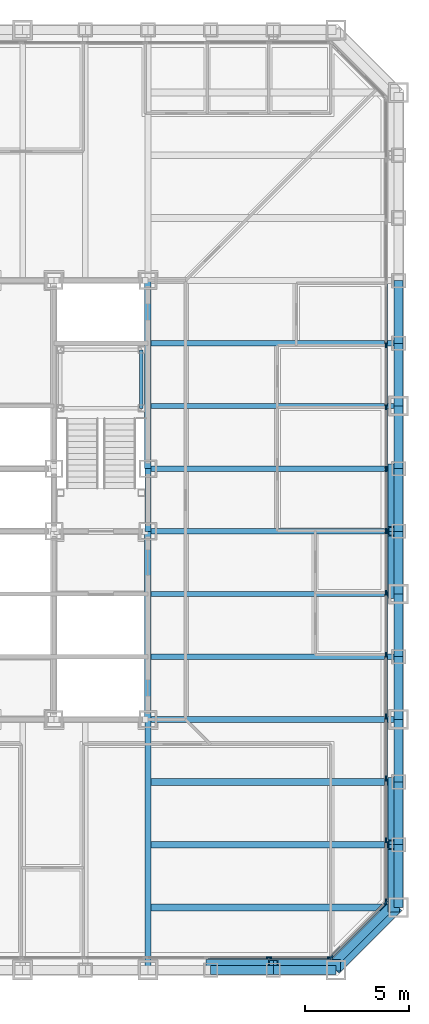
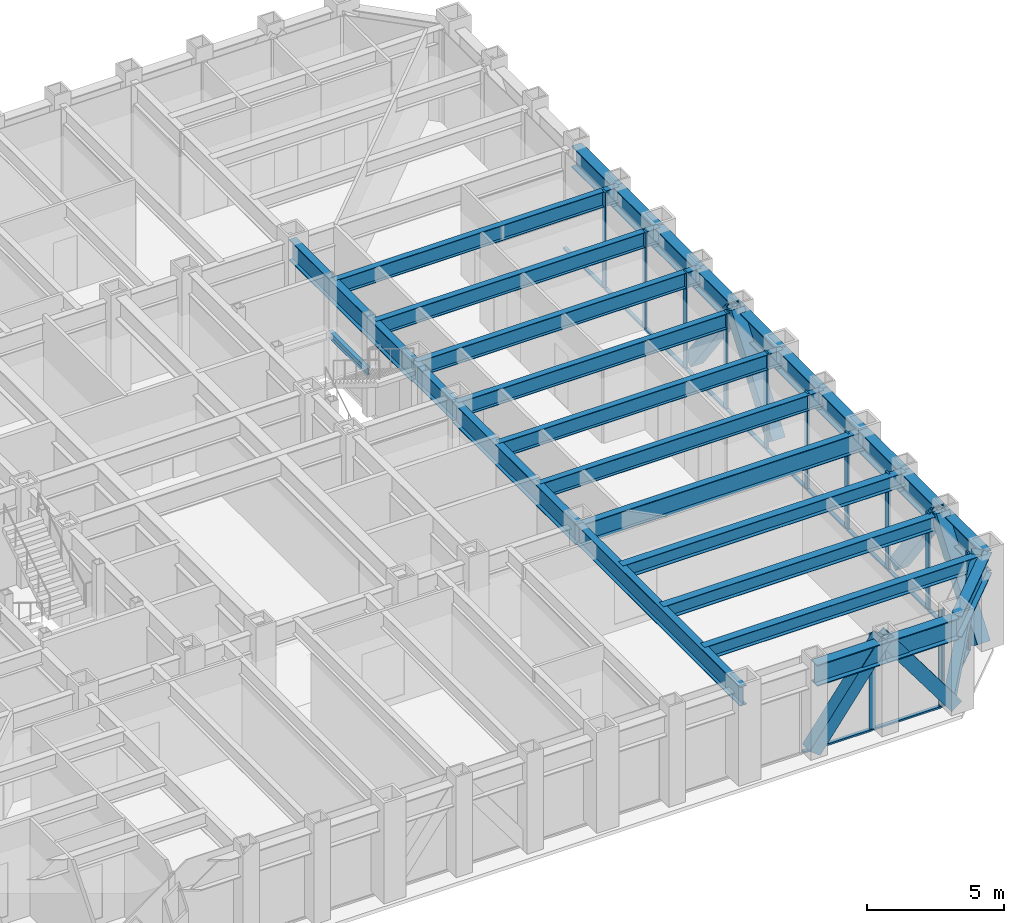
# One storey, part 4 of 17: 34 members, 28 beams, 3 elements without a shape of their own.
"""IFC4 building model written with IfcOpenShell, lengths in metres."""

from ifc_helpers import new_model, si_unit, direction, frame, origin, origin_2d, place, context, subcontext, project, spatial, rectangle, hollow_rectangle, i_section, extrude, material, layer, layer_set, material_profile, profile_set, type_object, element, aggregate, save


model = new_model("IFC4")

# Units and contexts
model_context = context("Model", 3, precision=1e-05, world=origin(), true_north=direction((0.0, 1.0)))
body_context = subcontext(model_context, "Body", "Model", "MODEL_VIEW")
ifc_project = project(units=[si_unit("LENGTHUNIT", "METRE"), si_unit("AREAUNIT", "SQUARE_METRE"), si_unit("VOLUMEUNIT", "CUBIC_METRE"), si_unit("PLANEANGLEUNIT", "RADIAN"), si_unit("MASSUNIT", "GRAM", prefix="KILO")], contexts=[model_context])

# Site, building, storey
site_placement = place(None, origin())
site = spatial("IfcSite", under=ifc_project, at=site_placement, CompositionType="ELEMENT")
building_placement = place(site_placement, origin())
building = spatial("IfcBuilding", under=site, at=building_placement, Name="Chuquiago Exchange Tower", CompositionType="ELEMENT")
storey_placement = place(building_placement, frame((0.0, 0.0, 69.300048828125)))
storey = spatial("IfcBuildingStorey", under=building, at=storey_placement, Name="L14", CompositionType="ELEMENT", Elevation=69.300048828125)

# Beams
ifc_material_1 = material(Name="Steel ASTM A992", Category="steel")
ifc_material_profile_1 = material_profile(ifc_material_1, i_section(OverallWidth=0.307373046875, OverallDepth=0.927001953125, WebThickness=0.01953125, FlangeThickness=0.031982421875, at=origin_2d()), Name="W36X194")
ifc_profile_set_1 = profile_set([ifc_material_profile_1], Name="Steel ASTM A992")
beam_type_1 = type_object("IfcBeamType", Name="B10 W36X194", PredefinedType="BEAM", material=ifc_profile_set_1)
for number, where, z_axis, x_axis, name in (
    (1, (33.0, 12.0, 3.576416015625), (0.0, 1.0, 0.0), (-1.0, 0.0, 0.0), "CB-L15-33_12-33_21"),
    (2, (33.0, 24.0, 3.576416015625), (0.0, 1.0, 0.0), (-1.0, 0.0, 0.0), "CB-L15-33_24-33_33"),
):
    element("IfcBeam", number, at=place(storey_placement, frame(where, z_axis=z_axis, x_axis=x_axis)), inside=storey, type_object=beam_type_1, Name=name, PredefinedType="BEAM", context=body_context, shape_type="SweptSolid", body=[
        extrude(i_section(OverallWidth=0.307373046875, OverallDepth=0.927001953125, WebThickness=0.01953125, FlangeThickness=0.031982421875, at=origin_2d()), origin(), (0.0, 0.0, 1.0), 9.0),
    ])
ifc_material_2 = material(Name="Steel ASTM A992", Category="steel")
ifc_material_profile_2 = material_profile(ifc_material_2, i_section(OverallWidth=0.2919921875, OverallDepth=0.8583984375, WebThickness=0.01708984375, FlangeThickness=0.031005859375, at=origin_2d()), Name="W33X169")
ifc_profile_set_2 = profile_set([ifc_material_profile_2], Name="Steel ASTM A992")
beam_type_2 = type_object("IfcBeamType", Name="B3 W33X169", PredefinedType="BEAM", material=ifc_profile_set_2)
beam_1_placement = place(storey_placement, frame((33.0, 21.0, 3.610595703125), z_axis=(0.0, 1.0, 0.0), x_axis=(-1.0, 0.0, 0.0)))
element("IfcBeam", 3, at=beam_1_placement, inside=storey, type_object=beam_type_2, Name="CB-L15-33_21-33_24", PredefinedType="BEAM", context=body_context, shape_type="SweptSolid", body=[
    extrude(i_section(OverallWidth=0.2919921875, OverallDepth=0.8583984375, WebThickness=0.01708984375, FlangeThickness=0.031005859375, at=origin_2d()), origin(), (0.0, 0.0, 1.0), 3.0),
])
ifc_material_3 = material(Name="Steel ASTM A992", Category="steel")
ifc_material_profile_3 = material_profile(ifc_material_3, i_section(OverallWidth=0.256591796875, OverallDepth=0.693359375, WebThickness=0.014404296875, FlangeThickness=0.023681640625, at=origin_2d()), Name="W27X114")
ifc_profile_set_3 = profile_set([ifc_material_profile_3], Name="Steel ASTM A992")
beam_type_3 = type_object("IfcBeamType", Name="B4 W27X114", PredefinedType="BEAM", material=ifc_profile_set_3)
for number, where, z_axis, x_axis, name in (
    (4, (33.0, 15.0, 3.693359375), (1.0, 0.0, 0.0), (0.0, 1.0, 0.0), "FB-L15-infill-33_15-45_15-0"),
    (5, (33.0, 18.0, 3.693359375), (1.0, 0.0, 0.0), (0.0, 1.0, 0.0), "FB-L15-infill-33_18-45_18-0"),
    (6, (33.0, 21.0, 3.693359375), (1.0, 0.0, 0.0), (0.0, 1.0, 0.0), "FB-L15-infill-33_21-45_21-0"),
    (7, (33.0, 24.0, 3.693359375), (1.0, 0.0, 0.0), (0.0, 1.0, 0.0), "FB-L15-infill-33_24-45_24-0"),
    (8, (33.0, 27.0, 3.693359375), (1.0, 0.0, 0.0), (0.0, 1.0, 0.0), "FB-L15-infill-33_27-45_27-0"),
    (9, (33.0, 30.0, 3.693359375), (1.0, 0.0, 0.0), (0.0, 1.0, 0.0), "FB-L15-infill-33_30-45_30-0"),
):
    element("IfcBeam", number, at=place(storey_placement, frame(where, z_axis=z_axis, x_axis=x_axis)), inside=storey, type_object=beam_type_3, Name=name, PredefinedType="BEAM", context=body_context, shape_type="SweptSolid", body=[
        extrude(i_section(OverallWidth=0.256591796875, OverallDepth=0.693359375, WebThickness=0.014404296875, FlangeThickness=0.023681640625, at=origin_2d()), origin(), (0.0, 0.0, 1.0), 12.0),
    ])
ifc_material_4 = material(Name="Steel ASTM A992", Category="steel")
ifc_material_profile_4 = material_profile(ifc_material_4, i_section(OverallWidth=0.3251953125, OverallDepth=0.6171875, WebThickness=0.013916015625, FlangeThickness=0.021484375, at=origin_2d()), Name="W24X117")
ifc_profile_set_4 = profile_set([ifc_material_profile_4], Name="Steel ASTM A992")
beam_type_4 = type_object("IfcBeamType", Name="B5 W24X117", PredefinedType="BEAM", material=ifc_profile_set_4)
for number, where, z_axis, x_axis, name in (
    (10, (33.0, 3.0, 3.7314453125), (1.0, 0.0, 0.0), (0.0, 1.0, 0.0), "FB-L15-corner-33_3-45_3-0"),
    (11, (33.0, 6.0, 3.7314453125), (1.0, 0.0, 0.0), (0.0, 1.0, 0.0), "FB-L15-corner-33_6-45_6-0"),
    (12, (33.0, 9.0, 3.7314453125), (1.0, 0.0, 0.0), (0.0, 1.0, 0.0), "FB-L15-corner-33_9-45_9-0"),
):
    element("IfcBeam", number, at=place(storey_placement, frame(where, z_axis=z_axis, x_axis=x_axis)), inside=storey, type_object=beam_type_4, Name=name, PredefinedType="BEAM", context=body_context, shape_type="SweptSolid", body=[
        extrude(i_section(OverallWidth=0.3251953125, OverallDepth=0.6171875, WebThickness=0.013916015625, FlangeThickness=0.021484375, at=origin_2d()), origin(), (0.0, 0.0, 1.0), 12.0),
    ])

# Curtain wall, members
ifc_material_5 = material(Name="Aluminium curtain wall system", Category="aluminium")
ifc_layer_1 = layer(ifc_material_5, 0.25)
ifc_layer_set_1 = layer_set([ifc_layer_1], Name="CW1 trading floor curtain wall")
curtain_wall_type_1 = type_object("IfcCurtainWallType", Name="CW1 trading floor curtain wall", PredefinedType="NOTDEFINED", material=ifc_layer_set_1)
curtain_wall_1_placement = place(storey_placement, origin())
curtain_wall_1 = element("IfcCurtainWall", 13, at=curtain_wall_1_placement, inside=storey, type_object=curtain_wall_type_1, Name="CW1 curtain wall L14", PredefinedType="NOTDEFINED")
ifc_material_6 = material(Name="Aluminium mullion, pale anodised", Category="aluminium")
ifc_material_profile_5 = material_profile(ifc_material_6, rectangle(XDim=0.074951171875, YDim=0.25, at=origin_2d()), Name="AL 75x250")
ifc_profile_set_5 = profile_set([ifc_material_profile_5], Name="Aluminium mullion, pale anodised")
member_type_1 = type_object("IfcMemberType", Name="CW1-M mullion 75x250", PredefinedType="MULLION", material=ifc_profile_set_5)
member_1_placement = place(storey_placement, frame((38.789794921875, 0.60009765625, -0.300048828125), z_axis=(0.0, 0.0, 1.0), x_axis=(0.0, 1.0, 0.0)))
member_1 = element("IfcMember", 14, at=member_1_placement, type_object=member_type_1, Name="CW1 mullion 13", PredefinedType="MULLION", context=body_context, shape_type="SweptSolid", body=[
    extrude(rectangle(XDim=0.074951171875, YDim=0.25, at=origin_2d()), origin(), (0.0, 0.0, 1.0), 4.340087890625),
])
member_2_placement = place(storey_placement, frame((41.714111328125, 0.60009765625, -0.300048828125), z_axis=(0.0, 0.0, 1.0), x_axis=(0.0, 1.0, 0.0)))
member_2 = element("IfcMember", 15, at=member_2_placement, type_object=member_type_1, Name="CW1 mullion 14", PredefinedType="MULLION", context=body_context, shape_type="SweptSolid", body=[
    extrude(rectangle(XDim=0.074951171875, YDim=0.25, at=origin_2d()), origin(), (0.0, 0.0, 1.0), 4.340087890625),
])

curtain_wall_2_placement = place(storey_placement, origin())
curtain_wall_2 = element("IfcCurtainWall", 16, at=curtain_wall_2_placement, inside=storey, type_object=curtain_wall_type_1, Name="CW1 curtain wall L14", PredefinedType="NOTDEFINED")
member_3_placement = place(storey_placement, frame((44.39990234375, 3.285888671875, -0.300048828125), z_axis=(0.0, 0.0, 1.0), x_axis=(-1.0, 0.0, 0.0)))
member_3 = element("IfcMember", 17, at=member_3_placement, type_object=member_type_1, Name="CW1 mullion 1", PredefinedType="MULLION", context=body_context, shape_type="SweptSolid", body=[
    extrude(rectangle(XDim=0.074951171875, YDim=0.25, at=origin_2d()), origin(), (0.0, 0.0, 1.0), 4.340087890625),
])
member_4_placement = place(storey_placement, frame((44.39990234375, 6.210205078125, -0.300048828125), z_axis=(0.0, 0.0, 1.0), x_axis=(-1.0, 0.0, 0.0)))
member_4 = element("IfcMember", 18, at=member_4_placement, type_object=member_type_1, Name="CW1 mullion 2", PredefinedType="MULLION", context=body_context, shape_type="SweptSolid", body=[
    extrude(rectangle(XDim=0.074951171875, YDim=0.25, at=origin_2d()), origin(), (0.0, 0.0, 1.0), 4.340087890625),
])
member_5_placement = place(storey_placement, frame((44.39990234375, 9.172119140625, -0.300048828125), z_axis=(0.0, 0.0, 1.0), x_axis=(-1.0, 0.0, 0.0)))
member_5 = element("IfcMember", 19, at=member_5_placement, type_object=member_type_1, Name="CW1 mullion 3", PredefinedType="MULLION", context=body_context, shape_type="SweptSolid", body=[
    extrude(rectangle(XDim=0.074951171875, YDim=0.25, at=origin_2d()), origin(), (0.0, 0.0, 1.0), 4.340087890625),
])
member_6_placement = place(storey_placement, frame((44.39990234375, 12.1337890625, -0.300048828125), z_axis=(0.0, 0.0, 1.0), x_axis=(-1.0, 0.0, 0.0)))
member_6 = element("IfcMember", 20, at=member_6_placement, type_object=member_type_1, Name="CW1 mullion 4", PredefinedType="MULLION", context=body_context, shape_type="SweptSolid", body=[
    extrude(rectangle(XDim=0.074951171875, YDim=0.25, at=origin_2d()), origin(), (0.0, 0.0, 1.0), 4.340087890625),
])
member_7_placement = place(storey_placement, frame((44.39990234375, 15.095458984375, -0.300048828125), z_axis=(0.0, 0.0, 1.0), x_axis=(-1.0, 0.0, 0.0)))
member_7 = element("IfcMember", 21, at=member_7_placement, type_object=member_type_1, Name="CW1 mullion 5", PredefinedType="MULLION", context=body_context, shape_type="SweptSolid", body=[
    extrude(rectangle(XDim=0.074951171875, YDim=0.25, at=origin_2d()), origin(), (0.0, 0.0, 1.0), 4.340087890625),
])
member_8_placement = place(storey_placement, frame((44.39990234375, 18.057373046875, -0.300048828125), z_axis=(0.0, 0.0, 1.0), x_axis=(-1.0, 0.0, 0.0)))
member_8 = element("IfcMember", 22, at=member_8_placement, type_object=member_type_1, Name="CW1 mullion 6", PredefinedType="MULLION", context=body_context, shape_type="SweptSolid", body=[
    extrude(rectangle(XDim=0.074951171875, YDim=0.25, at=origin_2d()), origin(), (0.0, 0.0, 1.0), 4.340087890625),
])
member_9_placement = place(storey_placement, frame((44.39990234375, 21.01904296875, -0.300048828125), z_axis=(0.0, 0.0, 1.0), x_axis=(-1.0, 0.0, 0.0)))
member_9 = element("IfcMember", 23, at=member_9_placement, type_object=member_type_1, Name="CW1 mullion 7", PredefinedType="MULLION", context=body_context, shape_type="SweptSolid", body=[
    extrude(rectangle(XDim=0.074951171875, YDim=0.25, at=origin_2d()), origin(), (0.0, 0.0, 1.0), 4.340087890625),
])
member_10_placement = place(storey_placement, frame((44.39990234375, 23.98095703125, -0.300048828125), z_axis=(0.0, 0.0, 1.0), x_axis=(-1.0, 0.0, 0.0)))
member_10 = element("IfcMember", 24, at=member_10_placement, type_object=member_type_1, Name="CW1 mullion 8", PredefinedType="MULLION", context=body_context, shape_type="SweptSolid", body=[
    extrude(rectangle(XDim=0.074951171875, YDim=0.25, at=origin_2d()), origin(), (0.0, 0.0, 1.0), 4.340087890625),
])
member_11_placement = place(storey_placement, frame((44.39990234375, 26.942626953125, -0.300048828125), z_axis=(0.0, 0.0, 1.0), x_axis=(-1.0, 0.0, 0.0)))
member_11 = element("IfcMember", 25, at=member_11_placement, type_object=member_type_1, Name="CW1 mullion 9", PredefinedType="MULLION", context=body_context, shape_type="SweptSolid", body=[
    extrude(rectangle(XDim=0.074951171875, YDim=0.25, at=origin_2d()), origin(), (0.0, 0.0, 1.0), 4.340087890625),
])
member_12_placement = place(storey_placement, frame((44.39990234375, 29.904541015625, -0.300048828125), z_axis=(0.0, 0.0, 1.0), x_axis=(-1.0, 0.0, 0.0)))
member_12 = element("IfcMember", 26, at=member_12_placement, type_object=member_type_1, Name="CW1 mullion 10", PredefinedType="MULLION", context=body_context, shape_type="SweptSolid", body=[
    extrude(rectangle(XDim=0.074951171875, YDim=0.25, at=origin_2d()), origin(), (0.0, 0.0, 1.0), 4.340087890625),
])

# Member
ifc_material_7 = material(Name="Aluminium transom, pale anodised", Category="aluminium")
ifc_material_profile_6 = material_profile(ifc_material_7, rectangle(XDim=0.14990234375, YDim=0.074951171875, at=origin_2d()), Name="AL 150x75")
ifc_profile_set_6 = profile_set([ifc_material_profile_6], Name="Aluminium transom, pale anodised")
member_type_2 = type_object("IfcMemberType", Name="CW1-T transom 75x150", PredefinedType="MULLION", material=ifc_profile_set_6)
member_13_placement = place(storey_placement, frame((35.865478515625, 0.60009765625, -0.262451171875), z_axis=(1.0, 0.0, 0.0), x_axis=(0.0, 1.0, 0.0)))
member_13 = element("IfcMember", 27, at=member_13_placement, type_object=member_type_2, Name="CW1 transom 12.1", PredefinedType="MULLION", context=body_context, shape_type="SweptSolid", body=[
    extrude(rectangle(XDim=0.14990234375, YDim=0.074951171875, at=origin_2d()), origin(), (0.0, 0.0, 1.0), 2.88671875),
])

member_14_placement = place(storey_placement, frame((38.8271484375, 0.60009765625, -0.262451171875), z_axis=(1.0, 0.0, 0.0), x_axis=(0.0, 1.0, 0.0)))
member_14 = element("IfcMember", 28, at=member_14_placement, type_object=member_type_2, Name="CW1 transom 13.1", PredefinedType="MULLION", context=body_context, shape_type="SweptSolid", body=[
    extrude(rectangle(XDim=0.14990234375, YDim=0.074951171875, at=origin_2d()), origin(), (0.0, 0.0, 1.0), 2.849365234375),
])

aggregate(curtain_wall_1, [member_1, member_2, member_13, member_14])

member_15_placement = place(storey_placement, frame((44.39990234375, 3.323486328125, -0.262451171875), z_axis=(0.0, 1.0, 0.0), x_axis=(-1.0, 0.0, 0.0)))
member_15 = element("IfcMember", 29, at=member_15_placement, type_object=member_type_2, Name="CW1 transom 1.1", PredefinedType="MULLION", context=body_context, shape_type="SweptSolid", body=[
    extrude(rectangle(XDim=0.14990234375, YDim=0.074951171875, at=origin_2d()), origin(), (0.0, 0.0, 1.0), 2.849365234375),
])

member_16_placement = place(storey_placement, frame((44.39990234375, 6.247802734375, -0.262451171875), z_axis=(0.0, 1.0, 0.0), x_axis=(-1.0, 0.0, 0.0)))
member_16 = element("IfcMember", 30, at=member_16_placement, type_object=member_type_2, Name="CW1 transom 2.1", PredefinedType="MULLION", context=body_context, shape_type="SweptSolid", body=[
    extrude(rectangle(XDim=0.14990234375, YDim=0.074951171875, at=origin_2d()), origin(), (0.0, 0.0, 1.0), 2.88671875),
])

member_17_placement = place(storey_placement, frame((44.39990234375, 9.20947265625, -0.262451171875), z_axis=(0.0, 1.0, 0.0), x_axis=(-1.0, 0.0, 0.0)))
member_17 = element("IfcMember", 31, at=member_17_placement, type_object=member_type_2, Name="CW1 transom 3.1", PredefinedType="MULLION", context=body_context, shape_type="SweptSolid", body=[
    extrude(rectangle(XDim=0.14990234375, YDim=0.074951171875, at=origin_2d()), origin(), (0.0, 0.0, 1.0), 2.88671875),
])

member_18_placement = place(storey_placement, frame((44.39990234375, 12.17138671875, -0.262451171875), z_axis=(0.0, 1.0, 0.0), x_axis=(-1.0, 0.0, 0.0)))
member_18 = element("IfcMember", 32, at=member_18_placement, type_object=member_type_2, Name="CW1 transom 4.1", PredefinedType="MULLION", context=body_context, shape_type="SweptSolid", body=[
    extrude(rectangle(XDim=0.14990234375, YDim=0.074951171875, at=origin_2d()), origin(), (0.0, 0.0, 1.0), 2.88671875),
])

member_19_placement = place(storey_placement, frame((44.39990234375, 15.133056640625, -0.262451171875), z_axis=(0.0, 1.0, 0.0), x_axis=(-1.0, 0.0, 0.0)))
member_19 = element("IfcMember", 33, at=member_19_placement, type_object=member_type_2, Name="CW1 transom 5.1", PredefinedType="MULLION", context=body_context, shape_type="SweptSolid", body=[
    extrude(rectangle(XDim=0.14990234375, YDim=0.074951171875, at=origin_2d()), origin(), (0.0, 0.0, 1.0), 2.88671875),
])

member_20_placement = place(storey_placement, frame((44.39990234375, 18.0947265625, -0.262451171875), z_axis=(0.0, 1.0, 0.0), x_axis=(-1.0, 0.0, 0.0)))
member_20 = element("IfcMember", 34, at=member_20_placement, type_object=member_type_2, Name="CW1 transom 6.1", PredefinedType="MULLION", context=body_context, shape_type="SweptSolid", body=[
    extrude(rectangle(XDim=0.14990234375, YDim=0.074951171875, at=origin_2d()), origin(), (0.0, 0.0, 1.0), 2.886962890625),
])

member_21_placement = place(storey_placement, frame((44.39990234375, 21.056640625, -0.262451171875), z_axis=(0.0, 1.0, 0.0), x_axis=(-1.0, 0.0, 0.0)))
member_21 = element("IfcMember", 35, at=member_21_placement, type_object=member_type_2, Name="CW1 transom 7.1", PredefinedType="MULLION", context=body_context, shape_type="SweptSolid", body=[
    extrude(rectangle(XDim=0.14990234375, YDim=0.074951171875, at=origin_2d()), origin(), (0.0, 0.0, 1.0), 2.88671875),
])

member_22_placement = place(storey_placement, frame((44.39990234375, 24.018310546875, -0.262451171875), z_axis=(0.0, 1.0, 0.0), x_axis=(-1.0, 0.0, 0.0)))
member_22 = element("IfcMember", 36, at=member_22_placement, type_object=member_type_2, Name="CW1 transom 8.1", PredefinedType="MULLION", context=body_context, shape_type="SweptSolid", body=[
    extrude(rectangle(XDim=0.14990234375, YDim=0.074951171875, at=origin_2d()), origin(), (0.0, 0.0, 1.0), 2.886962890625),
])

member_23_placement = place(storey_placement, frame((44.39990234375, 26.980224609375, -0.262451171875), z_axis=(0.0, 1.0, 0.0), x_axis=(-1.0, 0.0, 0.0)))
member_23 = element("IfcMember", 37, at=member_23_placement, type_object=member_type_2, Name="CW1 transom 9.1", PredefinedType="MULLION", context=body_context, shape_type="SweptSolid", body=[
    extrude(rectangle(XDim=0.14990234375, YDim=0.074951171875, at=origin_2d()), origin(), (0.0, 0.0, 1.0), 2.88671875),
])

member_24_placement = place(storey_placement, frame((44.39990234375, 29.94189453125, -0.262451171875), z_axis=(0.0, 1.0, 0.0), x_axis=(-1.0, 0.0, 0.0)))
member_24 = element("IfcMember", 38, at=member_24_placement, type_object=member_type_2, Name="CW1 transom 10.1", PredefinedType="MULLION", context=body_context, shape_type="SweptSolid", body=[
    extrude(rectangle(XDim=0.14990234375, YDim=0.074951171875, at=origin_2d()), origin(), (0.0, 0.0, 1.0), 2.88671875),
])

aggregate(curtain_wall_2, [member_3, member_4, member_5, member_6, member_7, member_8, member_9, member_10, member_11, member_12, member_15, member_16, member_17, member_18, member_19, member_20, member_21, member_22, member_23, member_24])

# Curtain wall, members
ifc_material_8 = material(Name="Aluminium curtain wall system", Category="aluminium")
ifc_layer_2 = layer(ifc_material_8, 0.199951171875)
ifc_layer_set_2 = layer_set([ifc_layer_2], Name="CW3 facet curtain wall")
curtain_wall_type_2 = type_object("IfcCurtainWallType", Name="CW3 facet curtain wall", PredefinedType="NOTDEFINED", material=ifc_layer_set_2)
curtain_wall_3_placement = place(storey_placement, origin())
curtain_wall_3 = element("IfcCurtainWall", 39, at=curtain_wall_3_placement, inside=storey, type_object=curtain_wall_type_2, Name="CW3 curtain wall L14", PredefinedType="NOTDEFINED")
ifc_material_9 = material(Name="Aluminium mullion, pale anodised", Category="aluminium")
ifc_material_profile_7 = material_profile(ifc_material_9, rectangle(XDim=0.06494140625, YDim=0.199951171875, at=origin_2d()), Name="AL 65x200")
ifc_profile_set_7 = profile_set([ifc_material_profile_7], Name="Aluminium mullion, pale anodised")
member_type_3 = type_object("IfcMemberType", Name="CW3-M mullion 65x200", PredefinedType="MULLION", material=ifc_profile_set_7)
member_25_placement = place(storey_placement, frame((41.7744140625, 0.623046875, -0.300048828125), z_axis=(0.0, 0.0, 1.0), x_axis=(-0.707106781187, 0.707106781187, 0.0)))
member_25 = element("IfcMember", 40, at=member_25_placement, type_object=member_type_3, Name="CW3 mullion 1", PredefinedType="MULLION", context=body_context, shape_type="SweptSolid", body=[
    extrude(rectangle(XDim=0.06494140625, YDim=0.199951171875, at=origin_2d()), origin(), (0.0, 0.0, 1.0), 4.340087890625),
])
member_26_placement = place(storey_placement, frame((44.376953125, 3.2255859375, -0.300048828125), z_axis=(0.0, 0.0, 1.0), x_axis=(-0.707106781187, 0.707106781187, 0.0)))
member_26 = element("IfcMember", 41, at=member_26_placement, type_object=member_type_3, Name="CW3 mullion 2", PredefinedType="MULLION", context=body_context, shape_type="SweptSolid", body=[
    extrude(rectangle(XDim=0.06494140625, YDim=0.199951171875, at=origin_2d()), origin(), (0.0, 0.0, 1.0), 4.340087890625),
])
ifc_material_10 = material(Name="Aluminium transom, pale anodised", Category="aluminium")
ifc_material_profile_8 = material_profile(ifc_material_10, rectangle(XDim=0.139892578125, YDim=0.06494140625, at=origin_2d()), Name="AL 140x65")
ifc_profile_set_8 = profile_set([ifc_material_profile_8], Name="Aluminium transom, pale anodised")
member_type_4 = type_object("IfcMemberType", Name="CW3-T transom 65x140", PredefinedType="MULLION", material=ifc_profile_set_8)
member_27_placement = place(storey_placement, frame((41.79736328125, 0.64599609375, -0.267578125), z_axis=(0.707106781187, 0.707106781187, 0.0), x_axis=(-0.707106781187, 0.707106781187, 0.0)))
member_27 = element("IfcMember", 42, at=member_27_placement, type_object=member_type_4, Name="CW3 transom 1.1", PredefinedType="MULLION", context=body_context, shape_type="SweptSolid", body=[
    extrude(rectangle(XDim=0.139892578125, YDim=0.06494140625, at=origin_2d()), origin(), (0.0, 0.0, 1.0), 3.61572265625),
])
aggregate(curtain_wall_3, [member_25, member_26, member_27])

# Beams
ifc_material_11 = material(Name="Steel ASTM A992", Category="steel")
ifc_material_profile_9 = material_profile(ifc_material_11, i_section(OverallWidth=0.2919921875, OverallDepth=0.8583984375, WebThickness=0.01708984375, FlangeThickness=0.031005859375, at=origin_2d()), Name="W33X169")
ifc_profile_set_9 = profile_set([ifc_material_profile_9], Name="Steel ASTM A992")
beam_type_5 = type_object("IfcBeamType", Name="G2 W33X169", PredefinedType="BEAM", material=ifc_profile_set_9)
for number, where, z_axis, x_axis, name in (
    (43, (33.0, 12.0, 3.610595703125), (0.0, -1.0, 0.0), (1.0, 0.0, 0.0), "FB-L15-girder-33_12-33_-0-0"),
    (44, (33.0, 12.0, 3.610595703125), (1.0, 0.0, 0.0), (0.0, 1.0, 0.0), "FB-L15-girder-33_12-45_12-0"),
):
    element("IfcBeam", number, at=place(storey_placement, frame(where, z_axis=z_axis, x_axis=x_axis)), inside=storey, type_object=beam_type_5, Name=name, PredefinedType="BEAM", context=body_context, shape_type="SweptSolid", body=[
        extrude(i_section(OverallWidth=0.2919921875, OverallDepth=0.8583984375, WebThickness=0.01708984375, FlangeThickness=0.031005859375, at=origin_2d()), origin(), (0.0, 0.0, 1.0), 12.0),
    ])

# Member
ifc_material_12 = material(Name="Steel ASTM A500 Grade C", Category="steel")
ifc_material_profile_10 = material_profile(ifc_material_12, hollow_rectangle(XDim=0.406494140625, YDim=0.406494140625, WallThickness=0.0146484375, at=origin_2d()), Name="HSS16X16X5/8")
ifc_profile_set_10 = profile_set([ifc_material_profile_10], Name="Steel ASTM A500 Grade C")
member_type_5 = type_object("IfcMemberType", Name="LB4 HSS16X16X5/8", PredefinedType="BRACE", material=ifc_profile_set_10)
member_28_placement = place(storey_placement, frame((41.78662109375, 0.21337890625, 0.0), z_axis=(0.512077265487, 0.512077265487, 0.689604051861), x_axis=(-0.707106781187, 0.707106781187, 0.0)))
element("IfcMember", 45, at=member_28_placement, inside=storey, type_object=member_type_5, Name="LB-L14-42_0-45_3", PredefinedType="BRACE", context=body_context, shape_type="SweptSolid", body=[
    extrude(hollow_rectangle(XDim=0.406494140625, YDim=0.406494140625, WallThickness=0.0146484375, at=origin_2d()), origin(), (0.0, 0.0, 1.0), 5.8583984375),
])

# Beam
ifc_material_13 = material(Name="Steel ASTM A992", Category="steel")
ifc_material_profile_11 = material_profile(ifc_material_13, i_section(OverallWidth=0.164794921875, OverallDepth=0.309814453125, WebThickness=0.005859375, FlangeThickness=0.009765625, at=origin_2d()), Name="W12X26")
ifc_profile_set_11 = profile_set([ifc_material_profile_11], Name="Steel ASTM A992")
beam_type_6 = type_object("IfcBeamType", Name="LS1 W12X26", PredefinedType="BEAM", material=ifc_profile_set_11)
beam_2_placement = place(storey_placement, frame((32.68994140625, 26.889892578125, 1.89501953125), z_axis=(0.0, 1.0, 0.0), x_axis=(-1.0, 0.0, 0.0)))
element("IfcBeam", 46, at=beam_2_placement, inside=storey, type_object=beam_type_6, Name="Stair ST2 L14 landing 1 stringer", PredefinedType="BEAM", context=body_context, shape_type="SweptSolid", body=[
    extrude(i_section(OverallWidth=0.164794921875, OverallDepth=0.309814453125, WebThickness=0.005859375, FlangeThickness=0.009765625, at=origin_2d()), origin(), (0.0, 0.0, 1.0), 2.800048828125),
])

# Members
ifc_material_14 = material(Name="Steel ASTM A572 Grade 50", Category="steel")
ifc_material_profile_12 = material_profile(ifc_material_14, hollow_rectangle(XDim=0.550048828125, YDim=0.550048828125, WallThickness=0.044921875, at=origin_2d()), Name="BOX550X550X45")
ifc_profile_set_12 = profile_set([ifc_material_profile_12], Name="Steel ASTM A572 Grade 50")
member_type_6 = type_object("IfcMemberType", Name="MB1 BOX550X550X45", PredefinedType="BRACE", material=ifc_profile_set_12)
for number, where, z_axis, x_axis, name in (
    (47, (36.0, 0.22998046875, 0.0), (0.596173923302, 0.0, 0.802855312728), (0.0, 1.0, 0.0), "Mega diagonal L14 S face"),
    (48, (42.0, 0.22998046875, 0.0), (-0.596173923302, 0.0, 0.802855312728), (0.0, -1.0, 0.0), "Mega diagonal L14 S face"),
    (49, (44.77001953125, 3.0, 0.0), (0.0, 0.596173923302, 0.802855312728), (-1.0, 0.0, 0.0), "Mega diagonal L14 E face"),
    (50, (44.77001953125, 9.0, 0.0), (0.0, -0.596173923302, 0.802855312728), (1.0, 0.0, 0.0), "Mega diagonal L14 E face"),
    (51, (44.77001953125, 18.0, 0.0), (0.0, 0.596173923302, 0.802855312728), (-1.0, 0.0, 0.0), "Mega diagonal L14 E face"),
    (52, (44.77001953125, 24.0, 0.0), (0.0, -0.596173923302, 0.802855312728), (1.0, 0.0, 0.0), "Mega diagonal L14 E face"),
):
    element("IfcMember", number, at=place(storey_placement, frame(where, z_axis=z_axis, x_axis=x_axis)), inside=storey, type_object=member_type_6, Name=name, PredefinedType="BRACE", context=body_context, shape_type="SweptSolid", body=[
        extrude(hollow_rectangle(XDim=0.550048828125, YDim=0.550048828125, WallThickness=0.044921875, at=origin_2d()), origin(), (0.0, 0.0, 1.0), 5.031982421875),
    ])

# Beams
ifc_material_15 = material(Name="Steel ASTM A992", Category="steel")
ifc_material_profile_13 = material_profile(ifc_material_15, i_section(OverallWidth=0.424072265625, OverallDepth=0.947509765625, WebThickness=0.02392578125, FlangeThickness=0.042724609375, at=origin_2d()), Name="W36X302")
ifc_profile_set_13 = profile_set([ifc_material_profile_13], Name="Steel ASTM A992")
beam_type_7 = type_object("IfcBeamType", Name="SP1 W36X302", PredefinedType="SPANDREL", material=ifc_profile_set_13)
for number, where, z_axis, x_axis, name in (
    (53, (36.0, 0.0, 3.566162109375), (1.0, 0.0, 0.0), (0.0, 1.0, 0.0), "SPB-L15-36_0-39_0"),
    (54, (39.0, 0.0, 3.566162109375), (1.0, 0.0, 0.0), (0.0, 1.0, 0.0), "SPB-L15-39_0-42_0"),
):
    element("IfcBeam", number, at=place(storey_placement, frame(where, z_axis=z_axis, x_axis=x_axis)), inside=storey, type_object=beam_type_7, Name=name, PredefinedType="SPANDREL", context=body_context, shape_type="SweptSolid", body=[
        extrude(i_section(OverallWidth=0.424072265625, OverallDepth=0.947509765625, WebThickness=0.02392578125, FlangeThickness=0.042724609375, at=origin_2d()), origin(), (0.0, 0.0, 1.0), 3.0),
    ])
beam_3_placement = place(storey_placement, frame((42.0, 0.0, 3.566162109375), z_axis=(0.707106781187, 0.707106781187, 0.0), x_axis=(-0.707106781187, 0.707106781187, 0.0)))
element("IfcBeam", 55, at=beam_3_placement, inside=storey, type_object=beam_type_7, Name="SPB-L15-42_0-45_3", PredefinedType="SPANDREL", context=body_context, shape_type="SweptSolid", body=[
    extrude(i_section(OverallWidth=0.424072265625, OverallDepth=0.947509765625, WebThickness=0.02392578125, FlangeThickness=0.042724609375, at=origin_2d()), origin(), (0.0, 0.0, 1.0), 4.24267578125),
])
for number, where, z_axis, x_axis, name in (
    (56, (45.0, 3.0, 3.566162109375), (0.0, 1.0, 0.0), (-1.0, 0.0, 0.0), "SPB-L15-45_3-45_6"),
    (57, (45.0, 6.0, 3.566162109375), (0.0, 1.0, 0.0), (-1.0, 0.0, 0.0), "SPB-L15-45_6-45_9"),
    (58, (45.0, 9.0, 3.566162109375), (0.0, 1.0, 0.0), (-1.0, 0.0, 0.0), "SPB-L15-45_9-45_12"),
    (59, (45.0, 12.0, 3.566162109375), (0.0, 1.0, 0.0), (-1.0, 0.0, 0.0), "SPB-L15-45_12-45_15"),
    (60, (45.0, 15.0, 3.566162109375), (0.0, 1.0, 0.0), (-1.0, 0.0, 0.0), "SPB-L15-45_15-45_18"),
    (61, (45.0, 18.0, 3.566162109375), (0.0, 1.0, 0.0), (-1.0, 0.0, 0.0), "SPB-L15-45_18-45_21"),
    (62, (45.0, 21.0, 3.566162109375), (0.0, 1.0, 0.0), (-1.0, 0.0, 0.0), "SPB-L15-45_21-45_24"),
    (63, (45.0, 24.0, 3.566162109375), (0.0, 1.0, 0.0), (-1.0, 0.0, 0.0), "SPB-L15-45_24-45_27"),
    (64, (45.0, 27.0, 3.566162109375), (0.0, 1.0, 0.0), (-1.0, 0.0, 0.0), "SPB-L15-45_27-45_30"),
    (65, (45.0, 30.0, 3.566162109375), (0.0, 1.0, 0.0), (-1.0, 0.0, 0.0), "SPB-L15-45_30-45_33"),
):
    element("IfcBeam", number, at=place(storey_placement, frame(where, z_axis=z_axis, x_axis=x_axis)), inside=storey, type_object=beam_type_7, Name=name, PredefinedType="SPANDREL", context=body_context, shape_type="SweptSolid", body=[
        extrude(i_section(OverallWidth=0.424072265625, OverallDepth=0.947509765625, WebThickness=0.02392578125, FlangeThickness=0.042724609375, at=origin_2d()), origin(), (0.0, 0.0, 1.0), 3.0),
    ])

save(model, "model.ifc")
